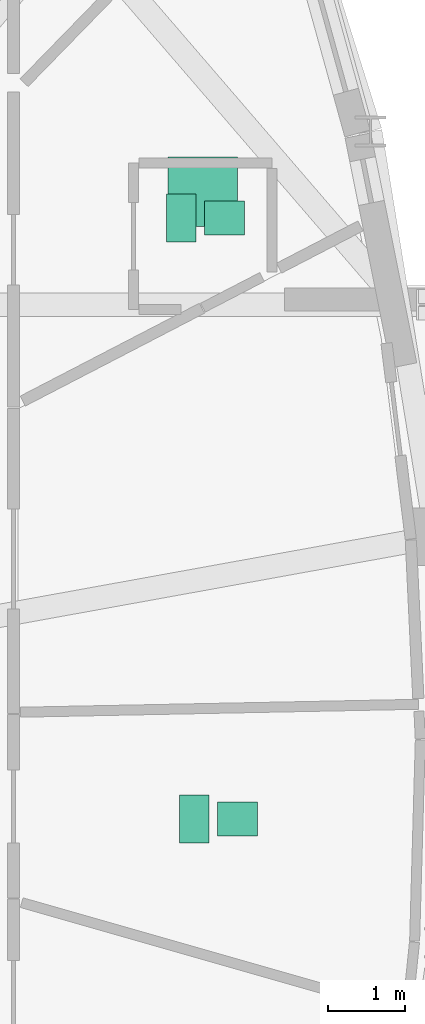
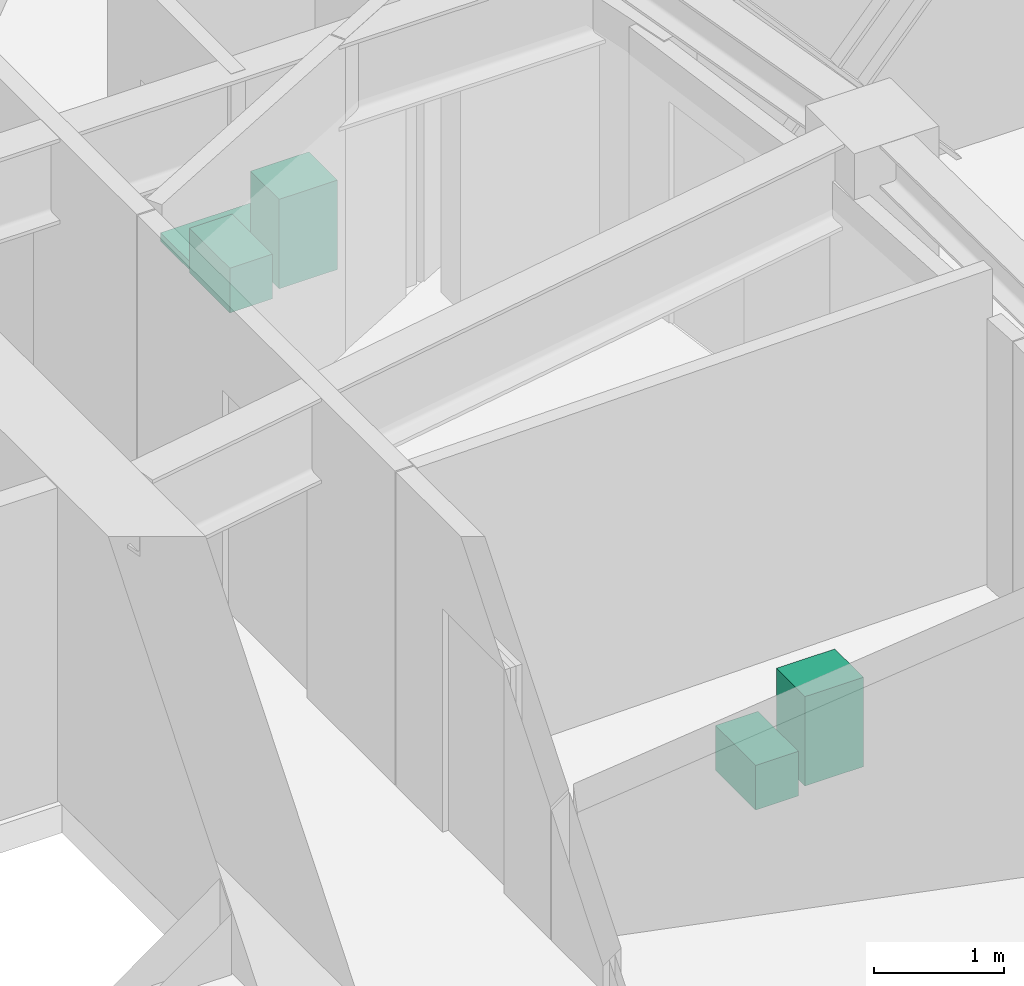
# One storey, part 13 of 13: 5 sanitary terminals.
"""IFC4 building model written with IfcOpenShell, lengths in metres."""

from ifc_helpers import new_model, si_unit, direction, frame, origin, origin_2d, place, context, subcontext, project, spatial, rectangle, extrude, source, transform, mapped, material, type_object, element, save


model = new_model("IFC4")

# Units and contexts
model_context = context("Model", 3, precision=1e-05, world=origin(), true_north=direction((0.0, 1.0)))
body_context = subcontext(model_context, "Body", "Model", "MODEL_VIEW")
ifc_project = project(units=[si_unit("LENGTHUNIT", "METRE"), si_unit("AREAUNIT", "SQUARE_METRE"), si_unit("VOLUMEUNIT", "CUBIC_METRE"), si_unit("PLANEANGLEUNIT", "RADIAN"), si_unit("MASSUNIT", "GRAM", prefix="KILO")], contexts=[model_context])

# Site, building, storey
site_placement = place(None, origin())
site = spatial("IfcSite", under=ifc_project, at=site_placement, CompositionType="ELEMENT")
building_placement = place(site_placement, origin())
building = spatial("IfcBuilding", under=site, at=building_placement, Name="Qafzar Sky-Pleat Residences", CompositionType="ELEMENT")
storey_placement = place(building_placement, frame((0.0, 0.0, 158.60009765625)))
storey = spatial("IfcBuildingStorey", under=building, at=storey_placement, Name="L47", CompositionType="ELEMENT", Elevation=158.60009765625)

# Sanitary terminals
ifc_material_1 = material(Name="Vitreous china sanitaryware")
sanitary_terminal_type_1 = type_object("IfcSanitaryTerminalType", Name="SAN-WC-PAN", PredefinedType="TOILETPAN", material=ifc_material_1)
shared_shape_1 = source(origin(), body_context, "Body", "SweptSolid", [
    extrude(rectangle(XDim=0.3798828125, YDim=0.6201171875, at=origin_2d()), origin(), (0.0, 0.0, 1.0), 0.419921875),
])
for number, where, z_axis, x_axis, name in (
    (1, (40.67626953125, 24.77490234375, 0.0), (0.0, 0.0, 1.0), (1.0, 0.0, 0.0), "L47 Accessible Shared Washroom WC Pan"),
    (2, (40.507080078125, 32.576904296875, 0.0), (0.0, 0.0, 1.0), (1.0, 0.0, 0.0), "L47 En-suite Bathroom 1 WC Pan"),
):
    element("IfcSanitaryTerminal", number, at=place(storey_placement, frame(where, z_axis=z_axis, x_axis=x_axis)), inside=storey, type_object=sanitary_terminal_type_1, Name=name, PredefinedType="TOILETPAN", context=body_context, shape_type="MappedRepresentation", body=[
        mapped(shared_shape_1, transform((0.0, 0.0, 0.0), x_axis=(1.0, 0.0, 0.0), y_axis=(0.0, 1.0, 0.0), z_axis=(0.0, 0.0, 1.0), scale=1.0)),
    ])
sanitary_terminal_type_2 = type_object("IfcSanitaryTerminalType", Name="SAN-BASIN", PredefinedType="WASHHANDBASIN", material=ifc_material_1)
shared_shape_2 = source(origin(), body_context, "Body", "SweptSolid", [
    extrude(rectangle(XDim=0.52001953125, YDim=0.43994140625, at=origin_2d()), origin(), (0.0, 0.0, 1.0), 0.840087890625),
])
for number, where, z_axis, x_axis, name in (
    (3, (41.236083984375, 24.77490234375, 0.0), (0.0, 0.0, 1.0), (1.0, 0.0, 0.0), "L47 Accessible Shared Washroom Pedestal Washbasin"),
    (4, (41.06689453125, 32.576904296875, 0.0), (0.0, 0.0, 1.0), (1.0, 0.0, 0.0), "L47 En-suite Bathroom 1 Pedestal Washbasin"),
):
    element("IfcSanitaryTerminal", number, at=place(storey_placement, frame(where, z_axis=z_axis, x_axis=x_axis)), inside=storey, type_object=sanitary_terminal_type_2, Name=name, PredefinedType="WASHHANDBASIN", context=body_context, shape_type="MappedRepresentation", body=[
        mapped(shared_shape_2, transform((0.0, 0.0, 0.0), x_axis=(1.0, 0.0, 0.0), y_axis=(0.0, 1.0, 0.0), z_axis=(0.0, 0.0, 1.0), scale=1.0)),
    ])
ifc_material_2 = material(Name="Vitreous china and acrylic tray")
sanitary_terminal_type_3 = type_object("IfcSanitaryTerminalType", Name="SAN-SHOWER", PredefinedType="SHOWER", material=ifc_material_2)
shared_shape_3 = source(origin(), body_context, "Body", "SweptSolid", [
    extrude(rectangle(XDim=0.89990234375, YDim=0.89990234375, at=origin_2d()), origin(), (0.0, 0.0, 1.0), 0.080078125),
])
sanitary_terminal_placement = place(storey_placement, frame((40.787109375, 32.9169921875, -0.000244140625), z_axis=(0.0, 0.0, 1.0), x_axis=(1.0, 0.0, 0.0)))
element("IfcSanitaryTerminal", 5, at=sanitary_terminal_placement, inside=storey, type_object=sanitary_terminal_type_3, Name="L47 En-suite Bathroom 1 Walk-In Shower", PredefinedType="SHOWER", context=body_context, shape_type="MappedRepresentation", body=[
    mapped(shared_shape_3, transform((0.0, 0.0, 0.0), x_axis=(1.0, 0.0, 0.0), y_axis=(0.0, 1.0, 0.0), z_axis=(0.0, 0.0, 1.0), scale=1.0)),
])

save(model, "model.ifc")
